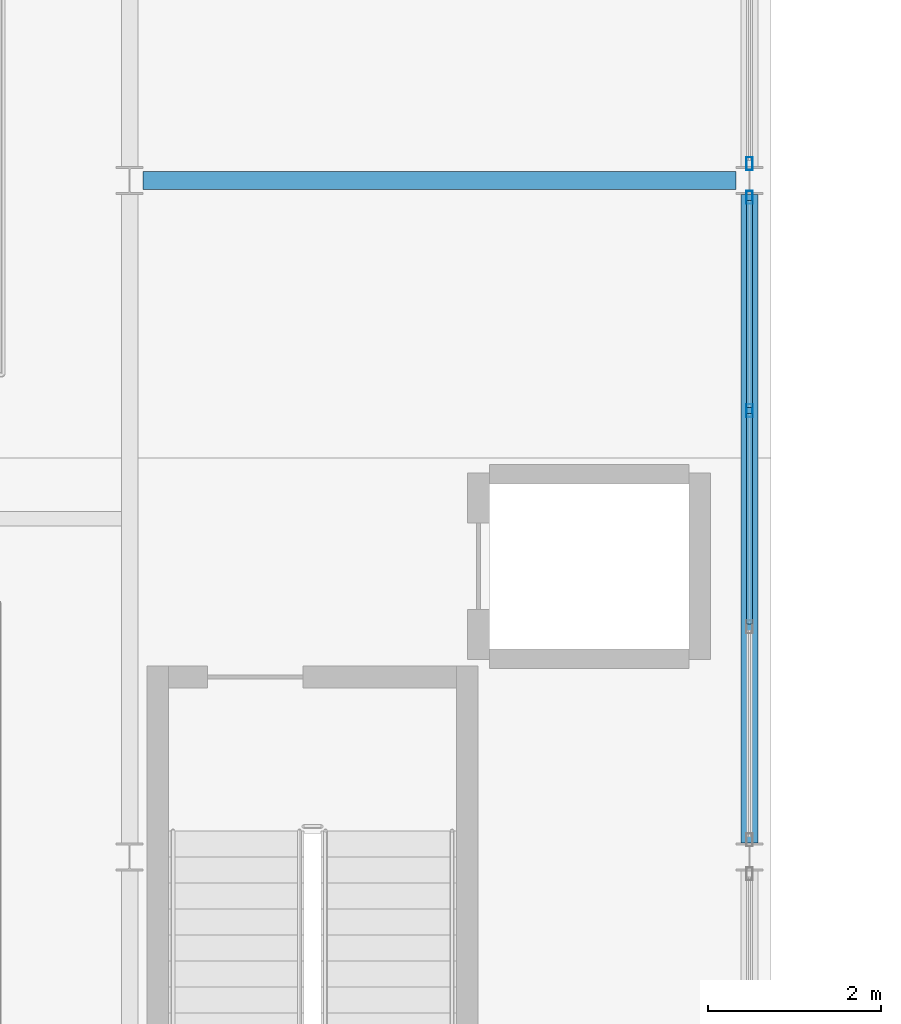
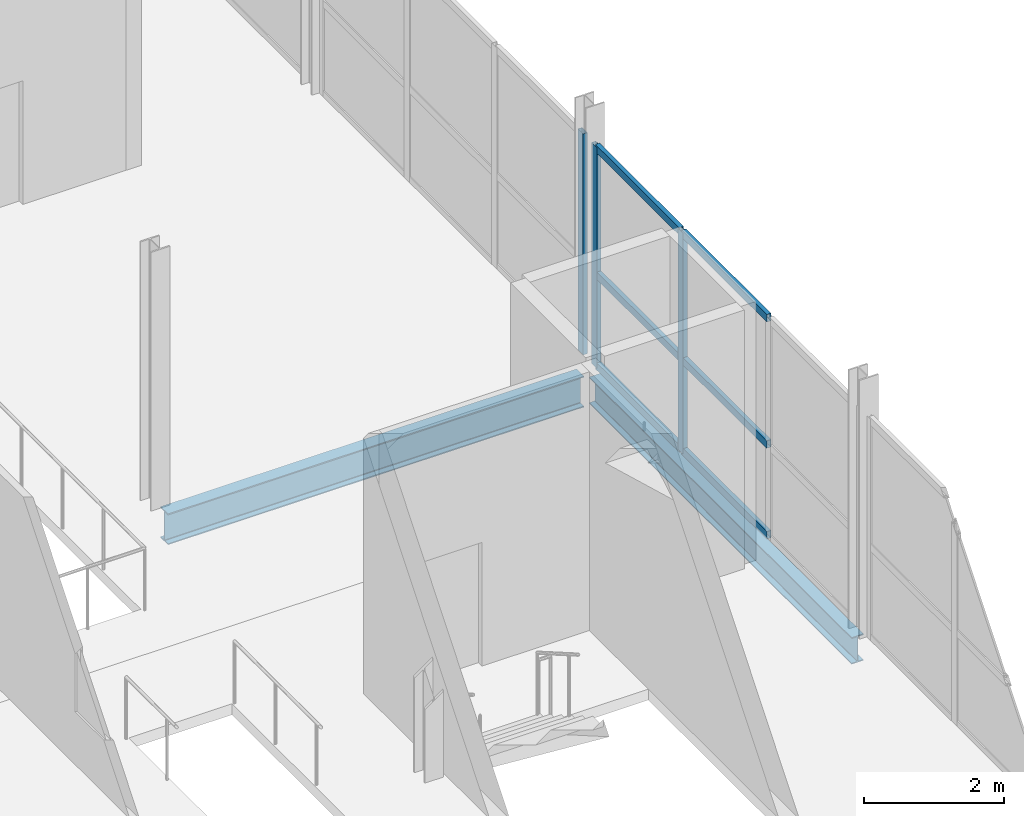
# One storey, part 15 of 77: 9 members, 2 beams, 2 elements without a shape of their own.
"""IFC4 building model written with IfcOpenShell, lengths in metres."""

from ifc_helpers import new_model, si_unit, direction, frame, origin, origin_2d, place, context, subcontext, project, spatial, hollow_rectangle, i_section, extrude, material, layer, layer_set, material_profile, profile_set, type_object, element, aggregate, save


model = new_model("IFC4")

# Units and contexts
model_context = context("Model", 3, precision=1e-05, world=origin(), true_north=direction((0.0, 1.0)))
body_context = subcontext(model_context, "Body", "Model", "MODEL_VIEW")
ifc_project = project(units=[si_unit("LENGTHUNIT", "METRE"), si_unit("AREAUNIT", "SQUARE_METRE"), si_unit("VOLUMEUNIT", "CUBIC_METRE"), si_unit("PLANEANGLEUNIT", "RADIAN"), si_unit("MASSUNIT", "GRAM", prefix="KILO")], contexts=[model_context])

# Site, building, storey
site_placement = place(None, origin())
site = spatial("IfcSite", under=ifc_project, at=site_placement, CompositionType="ELEMENT")
building_placement = place(site_placement, origin())
building = spatial("IfcBuilding", under=site, at=building_placement, Name="Quillay Park Conservatory", CompositionType="ELEMENT")
storey_placement = place(building_placement, frame((0.0, 0.0, 5.39990234375)))
storey = spatial("IfcBuildingStorey", under=building, at=storey_placement, Name="L01", CompositionType="ELEMENT", Elevation=5.39990234375)

# Curtain wall, members
ifc_material_1 = material(Name="Thermally Broken Anodised Aluminium 6063-T6", Category="aluminium")
ifc_layer = layer(ifc_material_1, 0.1650390625)
ifc_layer_set = layer_set([ifc_layer], Name="UNITISED CURTAIN WALL PODIUM (Thermally Broken Anodised Aluminium 6063-T6)")
curtain_wall_type = type_object("IfcCurtainWallType", Name="UNITISED CURTAIN WALL PODIUM", PredefinedType="USERDEFINED", material=ifc_layer_set)
curtain_wall_1_placement = place(storey_placement, origin())
curtain_wall_1 = element("IfcCurtainWall", 1, at=curtain_wall_1_placement, inside=storey, type_object=curtain_wall_type, Name="L01 Unitised Curtain Wall 201", ObjectType="UNITISED CURTAIN WALL", PredefinedType="USERDEFINED")
ifc_material_2 = material(Name="Thermally Broken Anodised Aluminium 6063-T6", Category="aluminium")
ifc_material_profile_1 = material_profile(ifc_material_2, hollow_rectangle(XDim=0.070068359375, YDim=0.14990234375, WallThickness=0.00341796875, at=origin_2d()), Name="AL70x150x3.5")
ifc_profile_set_1 = profile_set([ifc_material_profile_1], Name="Thermally Broken Anodised Aluminium 6063-T6")
member_type_1 = type_object("IfcMemberType", Name="CURTAIN WALL MULLION 70 X150", PredefinedType="MULLION", material=ifc_profile_set_1)
member_1_placement = place(storey_placement, frame((22.14990234375, 31.0048828125, 0.0), z_axis=(0.0, 0.0, 1.0), x_axis=(1.0, 0.0, 0.0)))
member_1 = element("IfcMember", 2, at=member_1_placement, type_object=member_type_1, Name="CW-P1 mullion 1", PredefinedType="MULLION", context=body_context, shape_type="SweptSolid", body=[
    extrude(hollow_rectangle(XDim=0.070068359375, YDim=0.14990234375, WallThickness=0.00341796875, at=origin_2d()), origin(), (0.0, 0.0, 1.0), 3.843994140625),
])
member_2_placement = place(storey_placement, frame((22.14990234375, 28.546630859375, 0.0), z_axis=(0.0, 0.0, 1.0), x_axis=(1.0, 0.0, 0.0)))
member_2 = element("IfcMember", 3, at=member_2_placement, type_object=member_type_1, Name="CW-P1 mullion 2", PredefinedType="MULLION", context=body_context, shape_type="SweptSolid", body=[
    extrude(hollow_rectangle(XDim=0.070068359375, YDim=0.14990234375, WallThickness=0.00341796875, at=origin_2d()), origin(), (0.0, 0.0, 1.0), 3.843994140625),
])

# Curtain wall, member
curtain_wall_2_placement = place(storey_placement, origin())
curtain_wall_2 = element("IfcCurtainWall", 4, at=curtain_wall_2_placement, inside=storey, type_object=curtain_wall_type, Name="L01 Unitised Curtain Wall 202", ObjectType="UNITISED CURTAIN WALL", PredefinedType="USERDEFINED")
member_3_placement = place(storey_placement, frame((22.14990234375, 31.39501953125, 0.0), z_axis=(0.0, 0.0, 1.0), x_axis=(1.0, 0.0, 0.0)))
member_3 = element("IfcMember", 5, at=member_3_placement, type_object=member_type_1, Name="CW-P1 mullion 4", PredefinedType="MULLION", context=body_context, shape_type="SweptSolid", body=[
    extrude(hollow_rectangle(XDim=0.070068359375, YDim=0.14990234375, WallThickness=0.00341796875, at=origin_2d()), origin(), (0.0, 0.0, 1.0), 3.843994140625),
])
aggregate(curtain_wall_2, [member_3])

# Member
ifc_material_3 = material(Name="Thermally Broken Anodised Aluminium 6063-T6", Category="aluminium")
ifc_material_profile_2 = material_profile(ifc_material_3, hollow_rectangle(XDim=0.070068359375, YDim=0.1298828125, WallThickness=0.003173828125, at=origin_2d()), Name="AL70x130x3.2")
ifc_profile_set_2 = profile_set([ifc_material_profile_2], Name="Thermally Broken Anodised Aluminium 6063-T6")
member_type_2 = type_object("IfcMemberType", Name="CURTAIN WALL TRANSOM 70 X130", PredefinedType="USERDEFINED", material=ifc_profile_set_2)
member_4_placement = place(storey_placement, frame((22.14990234375, 30.969970703125, 0.03515625), z_axis=(0.0, -1.0, 0.0), x_axis=(1.0, 0.0, 0.0)))
member_4 = element("IfcMember", 6, at=member_4_placement, type_object=member_type_2, Name="CW-P1 transom 1.1", ObjectType="TRANSOM", PredefinedType="USERDEFINED", context=body_context, shape_type="SweptSolid", body=[
    extrude(hollow_rectangle(XDim=0.070068359375, YDim=0.1298828125, WallThickness=0.003173828125, at=origin_2d()), origin(), (0.0, 0.0, 1.0), 2.38818359375),
])

member_5_placement = place(storey_placement, frame((22.14990234375, 30.969970703125, 1.614501953125), z_axis=(0.0, -1.0, 0.0), x_axis=(1.0, 0.0, 0.0)))
member_5 = element("IfcMember", 7, at=member_5_placement, type_object=member_type_2, Name="CW-P1 transom 1.2", ObjectType="TRANSOM", PredefinedType="USERDEFINED", context=body_context, shape_type="SweptSolid", body=[
    extrude(hollow_rectangle(XDim=0.070068359375, YDim=0.1298828125, WallThickness=0.003173828125, at=origin_2d()), origin(), (0.0, 0.0, 1.0), 2.38818359375),
])

member_6_placement = place(storey_placement, frame((22.14990234375, 30.969970703125, 3.80908203125), z_axis=(0.0, -1.0, 0.0), x_axis=(1.0, 0.0, 0.0)))
member_6 = element("IfcMember", 8, at=member_6_placement, type_object=member_type_2, Name="CW-P1 transom 1.3", ObjectType="TRANSOM", PredefinedType="USERDEFINED", context=body_context, shape_type="SweptSolid", body=[
    extrude(hollow_rectangle(XDim=0.070068359375, YDim=0.1298828125, WallThickness=0.003173828125, at=origin_2d()), origin(), (0.0, 0.0, 1.0), 2.38818359375),
])

member_7_placement = place(storey_placement, frame((22.14990234375, 28.51171875, 0.03515625), z_axis=(0.0, -1.0, 0.0), x_axis=(1.0, 0.0, 0.0)))
member_7 = element("IfcMember", 9, at=member_7_placement, type_object=member_type_2, Name="CW-P1 transom 2.1", ObjectType="TRANSOM", PredefinedType="USERDEFINED", context=body_context, shape_type="SweptSolid", body=[
    extrude(hollow_rectangle(XDim=0.070068359375, YDim=0.1298828125, WallThickness=0.003173828125, at=origin_2d()), origin(), (0.0, 0.0, 1.0), 2.42333984375),
])

member_8_placement = place(storey_placement, frame((22.14990234375, 28.51171875, 1.614501953125), z_axis=(0.0, -1.0, 0.0), x_axis=(1.0, 0.0, 0.0)))
member_8 = element("IfcMember", 10, at=member_8_placement, type_object=member_type_2, Name="CW-P1 transom 2.2", ObjectType="TRANSOM", PredefinedType="USERDEFINED", context=body_context, shape_type="SweptSolid", body=[
    extrude(hollow_rectangle(XDim=0.070068359375, YDim=0.1298828125, WallThickness=0.003173828125, at=origin_2d()), origin(), (0.0, 0.0, 1.0), 2.42333984375),
])

member_9_placement = place(storey_placement, frame((22.14990234375, 28.51171875, 3.80908203125), z_axis=(0.0, -1.0, 0.0), x_axis=(1.0, 0.0, 0.0)))
member_9 = element("IfcMember", 11, at=member_9_placement, type_object=member_type_2, Name="CW-P1 transom 2.3", ObjectType="TRANSOM", PredefinedType="USERDEFINED", context=body_context, shape_type="SweptSolid", body=[
    extrude(hollow_rectangle(XDim=0.070068359375, YDim=0.1298828125, WallThickness=0.003173828125, at=origin_2d()), origin(), (0.0, 0.0, 1.0), 2.42333984375),
])

aggregate(curtain_wall_1, [member_1, member_2, member_4, member_5, member_6, member_7, member_8, member_9])

# Beams
ifc_material_4 = material(Name="Steel ASTM A992 Grade 50", Category="steel")
ifc_material_profile_3 = material_profile(ifc_material_4, i_section(OverallWidth=0.19189453125, OverallDepth=0.462890625, WebThickness=0.010498046875, FlangeThickness=0.017578125, FilletRadius=0.012939453125, at=origin_2d()), Name="W460x89")
ifc_profile_set_3 = profile_set([ifc_material_profile_3], Name="Steel ASTM A992 Grade 50")
beam_type_1 = type_object("IfcBeamType", Name="PRIMARY FLOOR GIRDER W460 X89", PredefinedType="BEAM", material=ifc_profile_set_3)
beam_1_placement = place(storey_placement, frame((22.14990234375, 23.5615234375, -0.42138671875), z_axis=(0.0, 1.0, 0.0), x_axis=(-1.0, 0.0, 0.0)))
element("IfcBeam", 12, at=beam_1_placement, inside=storey, type_object=beam_type_1, Name="L01 beam BM-V3Y-1306", PredefinedType="BEAM", context=body_context, shape_type="SweptSolid", body=[
    extrude(i_section(OverallWidth=0.19189453125, OverallDepth=0.462890625, WebThickness=0.010498046875, FlangeThickness=0.017578125, FilletRadius=0.012939453125, at=origin_2d()), origin(), (0.0, 0.0, 1.0), 7.47705078125),
])
ifc_material_5 = material(Name="Steel ASTM A992 Grade 50", Category="steel")
ifc_material_profile_4 = material_profile(ifc_material_5, i_section(OverallWidth=0.2109375, OverallDepth=0.5390625, WebThickness=0.01171875, FlangeThickness=0.018798828125, FilletRadius=0.013916015625, at=origin_2d()), Name="W530x109")
ifc_profile_set_4 = profile_set([ifc_material_profile_4], Name="Steel ASTM A992 Grade 50")
beam_type_2 = type_object("IfcBeamType", Name="PRIMARY FLOOR GIRDER W530 X109", PredefinedType="BEAM", material=ifc_profile_set_4)
beam_2_placement = place(storey_placement, frame((15.154541015625, 31.199951171875, -0.45947265625), z_axis=(1.0, 0.0, 0.0), x_axis=(0.0, 1.0, 0.0)))
element("IfcBeam", 13, at=beam_2_placement, inside=storey, type_object=beam_type_2, Name="L01 beam BM-V3X-1275", PredefinedType="BEAM", context=body_context, shape_type="SweptSolid", body=[
    extrude(i_section(OverallWidth=0.2109375, OverallDepth=0.5390625, WebThickness=0.01171875, FlangeThickness=0.018798828125, FilletRadius=0.013916015625, at=origin_2d()), origin(), (0.0, 0.0, 1.0), 6.841064453125),
])

save(model, "model.ifc")
